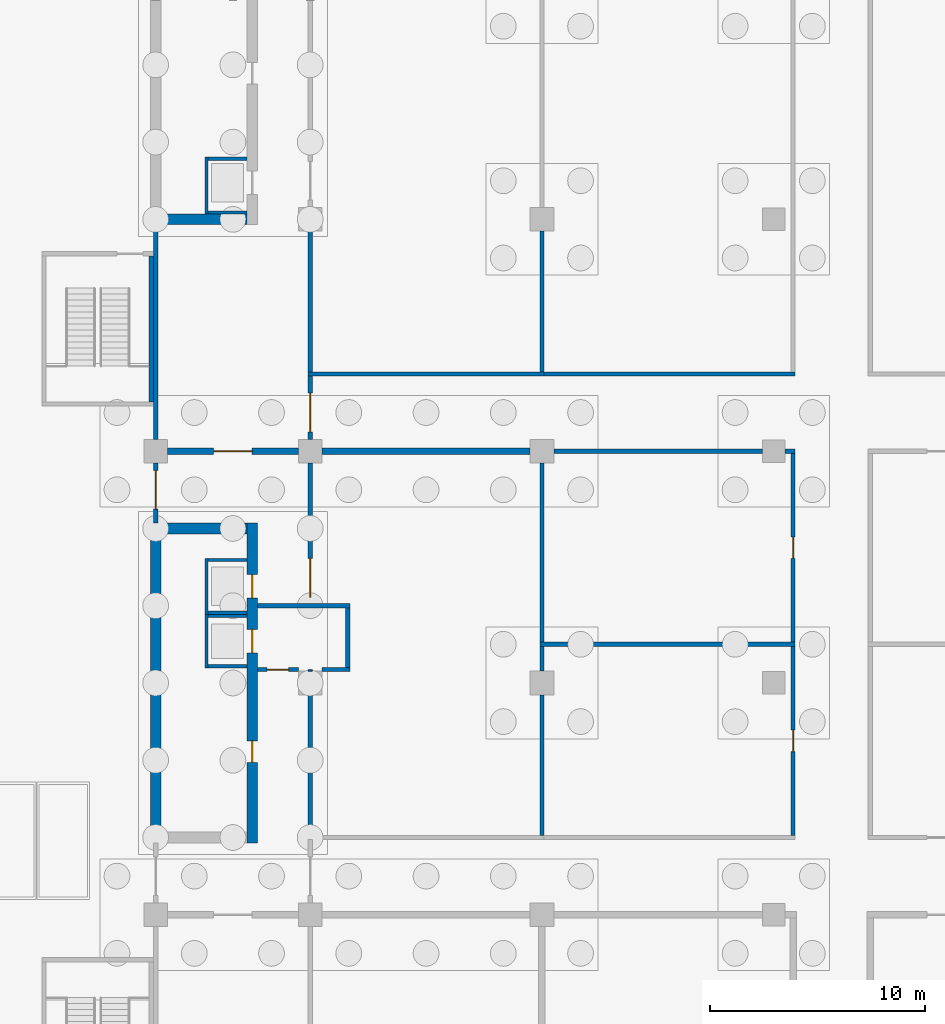
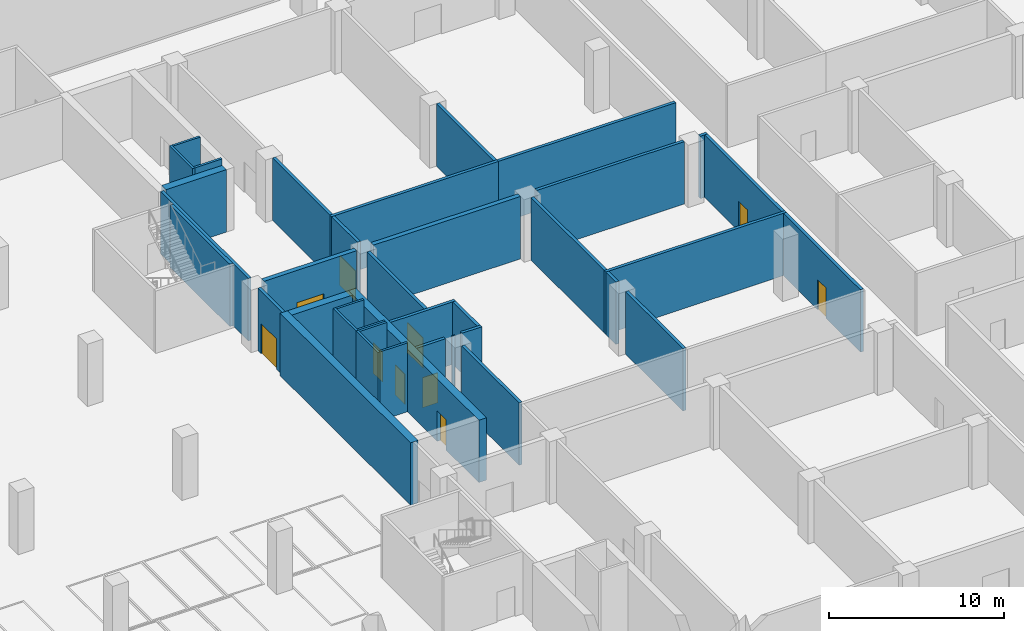
# One storey, part 6 of 18: 38 walls, 10 doors, 10 openings.
"""IFC4 building model written with IfcOpenShell, lengths in metres."""

from ifc_helpers import new_model, si_unit, direction, frame, frame_2d, origin, place, context, subcontext, project, spatial, rectangle, extrude, material, layer, layer_set, type_object, element, fill, save


model = new_model("IFC4")

# Units and contexts
model_context = context("Model", 3, precision=1e-05, world=origin(), true_north=direction((0.0, 1.0)))
body_context = subcontext(model_context, "Body", "Model", "MODEL_VIEW")
ifc_project = project(units=[si_unit("LENGTHUNIT", "METRE"), si_unit("AREAUNIT", "SQUARE_METRE"), si_unit("VOLUMEUNIT", "CUBIC_METRE"), si_unit("PLANEANGLEUNIT", "RADIAN"), si_unit("MASSUNIT", "GRAM", prefix="KILO")], contexts=[model_context])

# Site, building, storey
site_placement = place(None, origin())
site = spatial("IfcSite", under=ifc_project, at=site_placement, CompositionType="ELEMENT")
building_placement = place(site_placement, origin())
building = spatial("IfcBuilding", under=site, at=building_placement, Name="Basin Gate Institute", CompositionType="ELEMENT")
storey_placement = place(building_placement, frame((0.0, 0.0, -9.60009765625)))
storey = spatial("IfcBuildingStorey", under=building, at=storey_placement, Name="B2", CompositionType="ELEMENT", Elevation=-9.60009765625)

# Wall, opening, door
ifc_material_1 = material(Name="Concrete 50 MPa", Category="concrete")
ifc_layer_1 = layer(ifc_material_1, 0.199951171875)
ifc_layer_set_1 = layer_set([ifc_layer_1], Name="Concrete 50 MPa")
wall_type_1 = type_object("IfcWallType", Name="Basement bearing wall W66 REI 180", PredefinedType="SOLIDWALL", material=ifc_layer_set_1)
wall_1_placement = place(storey_placement, frame((61.199951171875, 74.949951171875, 0.0), z_axis=(0.0, 0.0, 1.0), x_axis=(0.0, 1.0, 0.0)))
wall_1 = element("IfcWall", 1, at=wall_1_placement, inside=storey, type_object=wall_type_1, material=ifc_layer_set_1, Name="Service Corridor B2 West bearing wall", PredefinedType="SOLIDWALL", context=body_context, shape_type="SweptSolid", body=[
    extrude(rectangle(XDim=2.800048828125, YDim=0.199951171875, at=frame_2d((1.39990234375, 0.0))), origin(), (0.0, 0.0, 1.0), 4.35009765625),
])
opening_1_placement = place(wall_1_placement, frame((0.64990234375, 0.0, 0.0)))
opening_1 = element("IfcOpeningElement", 2, at=opening_1_placement, cuts=wall_1, Name="Opening DB222", PredefinedType="OPENING", context=body_context, shape_type="SweptSolid", body=[
    extrude(rectangle(XDim=1.800048828125, YDim=2.10009765625, at=frame_2d((0.89990234375, 1.050048828125))), frame((0.0, 0.10986328125, 0.0), z_axis=(0.0, -1.0, 0.0), x_axis=(1.0, 0.0, 0.0)), (0.0, 0.0, 1.0), 0.219970703125),
])
ifc_material_2 = material(Name="Steel door set", Category="steel")
door_type_1 = type_object("IfcDoorType", Name="Double fire door FD120 1800x2100", OperationType="DOUBLE_DOOR_SINGLE_SWING", PredefinedType="DOOR", material=ifc_material_2)
door_1_placement = place(opening_1_placement, origin())
door_1 = element("IfcDoor", 3, at=door_1_placement, inside=storey, type_object=door_type_1, material=ifc_material_2, Name="Door DB222 Service Corridor B2 West", OperationType="DOUBLE_DOOR_SINGLE_SWING", OverallHeight=2.10009765625, OverallWidth=1.800048828125, PredefinedType="DOOR", context=body_context, shape_type="SweptSolid", body=[
    extrude(rectangle(XDim=1.800048828125, YDim=2.10009765625, at=frame_2d((0.89990234375, 1.050048828125))), frame((0.0, 0.02490234375, 0.0), z_axis=(0.0, -1.0, 0.0), x_axis=(1.0, 0.0, 0.0)), (0.0, 0.0, 1.0), 0.050048828125),
])
fill(opening_1, door_1)

# Walls
wall_2_placement = place(storey_placement, frame((61.199951171875, 78.85009765625, 0.0), z_axis=(0.0, 0.0, 1.0), x_axis=(0.0, 1.0, 0.0)))
element("IfcWall", 4, at=wall_2_placement, inside=storey, type_object=wall_type_1, material=ifc_layer_set_1, Name="Service Corridor B2 West bearing wall", PredefinedType="SOLIDWALL", context=body_context, shape_type="SweptSolid", body=[
    extrude(rectangle(XDim=10.0, YDim=0.199951171875, at=frame_2d((5.0, 0.0))), origin(), (0.0, 0.0, 1.0), 4.35009765625),
])
ifc_material_3 = material(Name="Blockwork", Category="masonry")
ifc_layer_2 = layer(ifc_material_3, 0.199951171875)
ifc_layer_set_2 = layer_set([ifc_layer_2], Name="Basement fire partition EI 120")
wall_type_2 = type_object("IfcWallType", Name="Basement fire partition EI 120", PredefinedType="PARTITIONING", material=ifc_layer_set_2)
wall_3_placement = place(storey_placement, frame((79.10009765625, 69.300048828125, 0.0), z_axis=(0.0, 0.0, 1.0), x_axis=(1.0, 0.0, 0.0)))
element("IfcWall", 5, at=wall_3_placement, inside=storey, type_object=wall_type_2, material=ifc_layer_set_2, Name="Chiller Plant fire-resisting wall", PredefinedType="PARTITIONING", context=body_context, shape_type="SweptSolid", body=[
    extrude(rectangle(XDim=11.89990234375, YDim=0.199951171875, at=frame_2d((5.949951171875, 0.0))), origin(), (0.0, 0.0, 1.0), 4.35009765625),
])
wall_4_placement = place(storey_placement, frame((79.75, 78.300048828125, 0.0), z_axis=(0.0, 0.0, 1.0), x_axis=(1.0, 0.0, 0.0)))
element("IfcWall", 6, at=wall_4_placement, inside=storey, type_object=wall_type_2, material=ifc_layer_set_2, Name="Boiler Plant fire-resisting wall", PredefinedType="PARTITIONING", context=body_context, shape_type="SweptSolid", body=[
    extrude(rectangle(XDim=9.72509765625, YDim=0.199951171875, at=frame_2d((4.862548828125, 0.0))), origin(), (0.0, 0.0, 1.0), 4.35009765625),
])
wall_5_placement = place(storey_placement, frame((90.52490234375, 78.300048828125, 0.0), z_axis=(0.0, 0.0, 1.0), x_axis=(1.0, 0.0, 0.0)))
element("IfcWall", 7, at=wall_5_placement, inside=storey, type_object=wall_type_2, material=ifc_layer_set_2, Name="Boiler Plant fire-resisting wall", PredefinedType="PARTITIONING", context=body_context, shape_type="SweptSolid", body=[
    extrude(rectangle(XDim=0.47509765625, YDim=0.199951171875, at=frame_2d((0.237548828125, 0.0))), origin(), (0.0, 0.0, 1.0), 4.35009765625),
])
wall_6_placement = place(storey_placement, frame((79.300048828125, 81.89990234375, 0.0), z_axis=(0.0, 0.0, 1.0), x_axis=(1.0, 0.0, 0.0)))
element("IfcWall", 8, at=wall_6_placement, inside=storey, type_object=wall_type_2, material=ifc_layer_set_2, Name="Pure Water Plant fire-resisting wall", PredefinedType="PARTITIONING", context=body_context, shape_type="SweptSolid", body=[
    extrude(rectangle(XDim=11.699951171875, YDim=0.199951171875, at=frame_2d((5.85009765625, 0.0))), origin(), (0.0, 0.0, 1.0), 4.35009765625),
])
wall_7_placement = place(storey_placement, frame((79.199951171875, 60.39990234375, 0.0), z_axis=(0.0, 0.0, 1.0), x_axis=(0.0, 1.0, 0.0)))
element("IfcWall", 9, at=wall_7_placement, inside=storey, type_object=wall_type_2, material=ifc_layer_set_2, Name="Chiller Plant fire-resisting wall", PredefinedType="PARTITIONING", context=body_context, shape_type="SweptSolid", body=[
    extrude(rectangle(XDim=6.550048828125, YDim=0.199951171875, at=frame_2d((3.27490234375, 0.0))), origin(), (0.0, 0.0, 1.0), 4.35009765625),
])
wall_8_placement = place(storey_placement, frame((79.199951171875, 68.050048828125, 0.0), z_axis=(0.0, 0.0, 1.0), x_axis=(0.0, 1.0, 0.0)))
element("IfcWall", 10, at=wall_8_placement, inside=storey, type_object=wall_type_2, material=ifc_layer_set_2, Name="Chiller Plant fire-resisting wall", PredefinedType="PARTITIONING", context=body_context, shape_type="SweptSolid", body=[
    extrude(rectangle(XDim=1.14990234375, YDim=0.199951171875, at=frame_2d((0.574951171875, 0.0))), origin(), (0.0, 0.0, 1.0), 4.35009765625),
])
wall_9_placement = place(storey_placement, frame((79.199951171875, 69.39990234375, 0.0), z_axis=(0.0, 0.0, 1.0), x_axis=(0.0, 1.0, 0.0)))
element("IfcWall", 11, at=wall_9_placement, inside=storey, type_object=wall_type_2, material=ifc_layer_set_2, Name="Boiler Plant fire-resisting wall", PredefinedType="PARTITIONING", context=body_context, shape_type="SweptSolid", body=[
    extrude(rectangle(XDim=8.35009765625, YDim=0.199951171875, at=frame_2d((4.175048828125, 0.0))), origin(), (0.0, 0.0, 1.0), 4.35009765625),
])
wall_10_placement = place(storey_placement, frame((79.199951171875, 82.0, 0.0), z_axis=(0.0, 0.0, 1.0), x_axis=(0.0, 1.0, 0.0)))
element("IfcWall", 12, at=wall_10_placement, inside=storey, type_object=wall_type_2, material=ifc_layer_set_2, Name="Pure Water Plant fire-resisting wall", PredefinedType="PARTITIONING", context=body_context, shape_type="SweptSolid", body=[
    extrude(rectangle(XDim=6.550048828125, YDim=0.199951171875, at=frame_2d((3.27490234375, 0.0))), origin(), (0.0, 0.0, 1.0), 4.35009765625),
])

# Wall, opening, door
wall_11_placement = place(storey_placement, frame((90.89990234375, 60.39990234375, 0.0), z_axis=(0.0, 0.0, 1.0), x_axis=(0.0, 1.0, 0.0)))
wall_11 = element("IfcWall", 13, at=wall_11_placement, inside=storey, type_object=wall_type_2, material=ifc_layer_set_2, Name="Chiller Plant fire-resisting wall", PredefinedType="PARTITIONING", context=body_context, shape_type="SweptSolid", body=[
    extrude(rectangle(XDim=8.800048828125, YDim=0.199951171875, at=frame_2d((4.39990234375, 0.0))), origin(), (0.0, 0.0, 1.0), 4.35009765625),
])
opening_2_placement = place(wall_11_placement, frame((3.89990234375, 0.0, 0.0)))
opening_2 = element("IfcOpeningElement", 14, at=opening_2_placement, cuts=wall_11, Name="Opening DB205", PredefinedType="OPENING", context=body_context, shape_type="SweptSolid", body=[
    extrude(rectangle(XDim=1.0, YDim=2.10009765625, at=frame_2d((0.5, 1.050048828125))), frame((0.0, 0.10986328125, 0.0), z_axis=(0.0, -1.0, 0.0), x_axis=(1.0, 0.0, 0.0)), (0.0, 0.0, 1.0), 0.219970703125),
])
ifc_material_4 = material(Name="Steel door set", Category="steel")
door_type_2 = type_object("IfcDoorType", Name="Fire door FD120 1000x2100", OperationType="NOTDEFINED", PredefinedType="DOOR", material=ifc_material_4)
door_2_placement = place(opening_2_placement, origin())
door_2 = element("IfcDoor", 15, at=door_2_placement, inside=storey, type_object=door_type_2, material=ifc_material_4, Name="Door DB205 Chiller Plant", OperationType="SINGLE_SWING_RIGHT", OverallHeight=2.10009765625, OverallWidth=1.0, PredefinedType="DOOR", context=body_context, shape_type="SweptSolid", body=[
    extrude(rectangle(XDim=1.0, YDim=2.10009765625, at=frame_2d((0.5, 1.050048828125))), frame((0.0, 0.02490234375, 0.0), z_axis=(0.0, -1.0, 0.0), x_axis=(1.0, 0.0, 0.0)), (0.0, 0.0, 1.0), 0.050048828125),
])
fill(opening_2, door_2)

wall_12_placement = place(storey_placement, frame((90.89990234375, 69.39990234375, 0.0), z_axis=(0.0, 0.0, 1.0), x_axis=(0.0, 1.0, 0.0)))
wall_12 = element("IfcWall", 16, at=wall_12_placement, inside=storey, type_object=wall_type_2, material=ifc_layer_set_2, Name="Boiler Plant fire-resisting wall", PredefinedType="PARTITIONING", context=body_context, shape_type="SweptSolid", body=[
    extrude(rectangle(XDim=8.800048828125, YDim=0.199951171875, at=frame_2d((4.39990234375, 0.0))), origin(), (0.0, 0.0, 1.0), 4.35009765625),
])
opening_3_placement = place(wall_12_placement, frame((3.89990234375, 0.0, 0.0)))
opening_3 = element("IfcOpeningElement", 17, at=opening_3_placement, cuts=wall_12, Name="Opening DB207", PredefinedType="OPENING", context=body_context, shape_type="SweptSolid", body=[
    extrude(rectangle(XDim=1.0, YDim=2.10009765625, at=frame_2d((0.5, 1.050048828125))), frame((0.0, 0.10986328125, 0.0), z_axis=(0.0, -1.0, 0.0), x_axis=(1.0, 0.0, 0.0)), (0.0, 0.0, 1.0), 0.219970703125),
])
door_3_placement = place(opening_3_placement, origin())
door_3 = element("IfcDoor", 18, at=door_3_placement, inside=storey, type_object=door_type_2, material=ifc_material_4, Name="Door DB207 Boiler Plant", OperationType="SINGLE_SWING_LEFT", OverallHeight=2.10009765625, OverallWidth=1.0, PredefinedType="DOOR", context=body_context, shape_type="SweptSolid", body=[
    extrude(rectangle(XDim=1.0, YDim=2.10009765625, at=frame_2d((0.5, 1.050048828125))), frame((0.0, 0.02490234375, 0.0), z_axis=(0.0, -1.0, 0.0), x_axis=(1.0, 0.0, 0.0)), (0.0, 0.0, 1.0), 0.050048828125),
])
fill(opening_3, door_3)

ifc_material_5 = material(Name="Blockwork", Category="masonry")
ifc_layer_3 = layer(ifc_material_5, 0.199951171875)
ifc_layer_set_3 = layer_set([ifc_layer_3], Name="Basement fire partition EI 60")
wall_type_3 = type_object("IfcWallType", Name="Basement fire partition EI 60", PredefinedType="PARTITIONING", material=ifc_layer_set_3)
wall_13_placement = place(storey_placement, frame((65.949951171875, 68.125, 0.0), z_axis=(0.0, 0.0, 1.0), x_axis=(1.0, 0.0, 0.0)))
wall_13 = element("IfcWall", 19, at=wall_13_placement, inside=storey, type_object=wall_type_3, material=ifc_layer_set_3, Name="Emergency Lift Lobby B2 LF1 fire-resisting wall", PredefinedType="PARTITIONING", context=body_context, shape_type="SweptSolid", body=[
    extrude(rectangle(XDim=1.900146484375, YDim=0.199951171875, at=frame_2d((0.9501953125, 0.0))), origin(), (0.0, 0.0, 1.0), 4.35009765625),
])
opening_4_placement = place(wall_13_placement, frame((0.449951171875, 0.0, 0.0)))
opening_4 = element("IfcOpeningElement", 20, at=opening_4_placement, cuts=wall_13, Name="Opening DB236", PredefinedType="OPENING", context=body_context, shape_type="SweptSolid", body=[
    extrude(rectangle(XDim=1.0, YDim=2.10009765625, at=frame_2d((0.5, 1.050048828125))), frame((0.0, 0.10986328125, 0.0), z_axis=(0.0, -1.0, 0.0), x_axis=(1.0, 0.0, 0.0)), (0.0, 0.0, 1.0), 0.219970703125),
])
ifc_material_6 = material(Name="Steel door set", Category="steel")
door_type_3 = type_object("IfcDoorType", Name="Fire door FD60 1000x2100", OperationType="NOTDEFINED", PredefinedType="DOOR", material=ifc_material_6)
door_4_placement = place(opening_4_placement, frame((1.0, 0.0, 0.0), z_axis=(0.0, 0.0, 1.0), x_axis=(-1.0, 0.0, 0.0)))
door_4 = element("IfcDoor", 21, at=door_4_placement, inside=storey, type_object=door_type_3, material=ifc_material_6, Name="Door DB236 Emergency Lift Lobby B2 LF1", OperationType="SINGLE_SWING_RIGHT", OverallHeight=2.10009765625, OverallWidth=1.0, PredefinedType="DOOR", context=body_context, shape_type="SweptSolid", body=[
    extrude(rectangle(XDim=1.0, YDim=2.10009765625, at=frame_2d((0.5, 1.050048828125))), frame((0.0, 0.02490234375, 0.0), z_axis=(0.0, -1.0, 0.0), x_axis=(1.0, 0.0, 0.0)), (0.0, 0.0, 1.0), 0.050048828125),
])
fill(opening_4, door_4)

# Walls
wall_14_placement = place(storey_placement, frame((68.949951171875, 68.125, 0.0), z_axis=(0.0, 0.0, 1.0), x_axis=(1.0, 0.0, 0.0)))
element("IfcWall", 22, at=wall_14_placement, inside=storey, type_object=wall_type_3, material=ifc_layer_set_3, Name="Emergency Lift Lobby B2 LF1 fire-resisting wall", PredefinedType="PARTITIONING", context=body_context, shape_type="SweptSolid", body=[
    extrude(rectangle(XDim=1.300048828125, YDim=0.199951171875, at=frame_2d((0.64990234375, 0.0))), origin(), (0.0, 0.0, 1.0), 4.35009765625),
])
wall_15_placement = place(storey_placement, frame((65.949951171875, 71.10009765625, 0.0), z_axis=(0.0, 0.0, 1.0), x_axis=(1.0, 0.0, 0.0)))
element("IfcWall", 23, at=wall_15_placement, inside=storey, type_object=wall_type_3, material=ifc_layer_set_3, Name="Emergency Lift Lobby B2 LF1 fire-resisting wall", PredefinedType="PARTITIONING", context=body_context, shape_type="SweptSolid", body=[
    extrude(rectangle(XDim=4.300048828125, YDim=0.199951171875, at=frame_2d((2.14990234375, 0.0))), origin(), (0.0, 0.0, 1.0), 4.35009765625),
])
wall_16_placement = place(storey_placement, frame((68.300048828125, 81.89990234375, 0.0), z_axis=(0.0, 0.0, 1.0), x_axis=(1.0, 0.0, 0.0)))
element("IfcWall", 24, at=wall_16_placement, inside=storey, type_object=wall_type_3, material=ifc_layer_set_3, Name="Vibration-isolated Instrument Hall 3 fire-resisting wall", PredefinedType="PARTITIONING", context=body_context, shape_type="SweptSolid", body=[
    extrude(rectangle(XDim=11.0, YDim=0.199951171875, at=frame_2d((5.5, 0.0))), origin(), (0.0, 0.0, 1.0), 4.35009765625),
])
wall_17_placement = place(storey_placement, frame((68.39990234375, 60.39990234375, 0.0), z_axis=(0.0, 0.0, 1.0), x_axis=(0.0, 1.0, 0.0)))
element("IfcWall", 25, at=wall_17_placement, inside=storey, type_object=wall_type_3, material=ifc_layer_set_3, Name="Vibration-isolated Instrument Hall 2 fire-resisting wall", PredefinedType="PARTITIONING", context=body_context, shape_type="SweptSolid", body=[
    extrude(rectangle(XDim=6.550048828125, YDim=0.199951171875, at=frame_2d((3.27490234375, 0.0))), origin(), (0.0, 0.0, 1.0), 4.35009765625),
])
wall_18_placement = place(storey_placement, frame((68.39990234375, 68.050048828125, 0.0), z_axis=(0.0, 0.0, 1.0), x_axis=(0.0, 1.0, 0.0)))
element("IfcWall", 26, at=wall_18_placement, inside=storey, type_object=wall_type_3, material=ifc_layer_set_3, Name="Vibration-isolated Instrument Hall 2 fire-resisting wall", PredefinedType="PARTITIONING", context=body_context, shape_type="SweptSolid", body=[
    extrude(rectangle(XDim=0.074951171875, YDim=0.199951171875, at=frame_2d((0.03759765625, 0.0))), origin(), (0.0, 0.0, 1.0), 4.35009765625),
])

# Wall, opening, door
wall_19_placement = place(storey_placement, frame((68.39990234375, 71.199951171875, 0.0), z_axis=(0.0, 0.0, 1.0), x_axis=(0.0, 1.0, 0.0)))
wall_19 = element("IfcWall", 27, at=wall_19_placement, inside=storey, type_object=wall_type_3, material=ifc_layer_set_3, Name="Vibration-isolated Instrument Hall 2 fire-resisting wall", PredefinedType="PARTITIONING", context=body_context, shape_type="SweptSolid", body=[
    extrude(rectangle(XDim=6.550048828125, YDim=0.199951171875, at=frame_2d((3.27490234375, 0.0))), origin(), (0.0, 0.0, 1.0), 4.35009765625),
])
opening_5_placement = place(wall_19_placement, frame((0.300048828125, 0.0, 0.0)))
opening_5 = element("IfcOpeningElement", 28, at=opening_5_placement, cuts=wall_19, Name="Opening DB218", PredefinedType="OPENING", context=body_context, shape_type="SweptSolid", body=[
    extrude(rectangle(XDim=1.800048828125, YDim=2.10009765625, at=frame_2d((0.89990234375, 1.050048828125))), frame((0.0, 0.10986328125, 0.0), z_axis=(0.0, -1.0, 0.0), x_axis=(1.0, 0.0, 0.0)), (0.0, 0.0, 1.0), 0.219970703125),
])
ifc_material_7 = material(Name="Steel door set", Category="steel")
door_type_4 = type_object("IfcDoorType", Name="Double fire door FD60 1800x2100", OperationType="DOUBLE_DOOR_SINGLE_SWING", PredefinedType="DOOR", material=ifc_material_7)
door_5_placement = place(opening_5_placement, origin())
door_5 = element("IfcDoor", 29, at=door_5_placement, inside=storey, type_object=door_type_4, material=ifc_material_7, Name="Door DB218 Vibration-isolated Instrument Hall 2", OperationType="DOUBLE_DOOR_SINGLE_SWING", OverallHeight=2.10009765625, OverallWidth=1.800048828125, PredefinedType="DOOR", context=body_context, shape_type="SweptSolid", body=[
    extrude(rectangle(XDim=1.800048828125, YDim=2.10009765625, at=frame_2d((0.89990234375, 1.050048828125))), frame((0.0, 0.02490234375, 0.0), z_axis=(0.0, -1.0, 0.0), x_axis=(1.0, 0.0, 0.0)), (0.0, 0.0, 1.0), 0.050048828125),
])
fill(opening_5, door_5)

wall_20_placement = place(storey_placement, frame((68.39990234375, 78.85009765625, 0.0), z_axis=(0.0, 0.0, 1.0), x_axis=(0.0, 1.0, 0.0)))
wall_20 = element("IfcWall", 30, at=wall_20_placement, inside=storey, type_object=wall_type_3, material=ifc_layer_set_3, Name="Service Corridor B2 West fire-resisting wall", PredefinedType="PARTITIONING", context=body_context, shape_type="SweptSolid", body=[
    extrude(rectangle(XDim=2.949951171875, YDim=0.199951171875, at=frame_2d((1.47509765625, 0.0))), origin(), (0.0, 0.0, 1.0), 4.35009765625),
])
opening_6_placement = place(wall_20_placement, frame((0.35009765625, 0.0, 0.0)))
opening_6 = element("IfcOpeningElement", 31, at=opening_6_placement, cuts=wall_20, Name="Opening DB226", PredefinedType="OPENING", context=body_context, shape_type="SweptSolid", body=[
    extrude(rectangle(XDim=1.800048828125, YDim=2.10009765625, at=frame_2d((0.89990234375, 1.050048828125))), frame((0.0, 0.10986328125, 0.0), z_axis=(0.0, -1.0, 0.0), x_axis=(1.0, 0.0, 0.0)), (0.0, 0.0, 1.0), 0.219970703125),
])
door_6_placement = place(opening_6_placement, frame((1.800048828125, 0.0, 0.0), z_axis=(0.0, 0.0, 1.0), x_axis=(-1.0, 0.0, 0.0)))
door_6 = element("IfcDoor", 32, at=door_6_placement, inside=storey, type_object=door_type_4, material=ifc_material_7, Name="Door DB226 Service Corridor B2 West", OperationType="DOUBLE_DOOR_SINGLE_SWING", OverallHeight=2.10009765625, OverallWidth=1.800048828125, PredefinedType="DOOR", context=body_context, shape_type="SweptSolid", body=[
    extrude(rectangle(XDim=1.800048828125, YDim=2.10009765625, at=frame_2d((0.89990234375, 1.050048828125))), frame((0.0, 0.02490234375, 0.0), z_axis=(0.0, -1.0, 0.0), x_axis=(1.0, 0.0, 0.0)), (0.0, 0.0, 1.0), 0.050048828125),
])
fill(opening_6, door_6)

# Walls
wall_21_placement = place(storey_placement, frame((68.39990234375, 82.0, 0.0), z_axis=(0.0, 0.0, 1.0), x_axis=(0.0, 1.0, 0.0)))
element("IfcWall", 33, at=wall_21_placement, inside=storey, type_object=wall_type_3, material=ifc_layer_set_3, Name="Vibration-isolated Instrument Hall 3 fire-resisting wall", PredefinedType="PARTITIONING", context=body_context, shape_type="SweptSolid", body=[
    extrude(rectangle(XDim=6.550048828125, YDim=0.199951171875, at=frame_2d((3.27490234375, 0.0))), origin(), (0.0, 0.0, 1.0), 4.35009765625),
])
wall_22_placement = place(storey_placement, frame((70.14990234375, 68.22509765625, 0.0), z_axis=(0.0, 0.0, 1.0), x_axis=(0.0, 1.0, 0.0)))
element("IfcWall", 34, at=wall_22_placement, inside=storey, type_object=wall_type_3, material=ifc_layer_set_3, Name="Emergency Lift Lobby B2 LF1 fire-resisting wall", PredefinedType="PARTITIONING", context=body_context, shape_type="SweptSolid", body=[
    extrude(rectangle(XDim=2.77490234375, YDim=0.199951171875, at=frame_2d((1.387451171875, 0.0))), origin(), (0.0, 0.0, 1.0), 4.35009765625),
])
ifc_material_8 = material(Name="Concrete 35 MPa", Category="concrete")
ifc_layer_4 = layer(ifc_material_8, 0.199951171875)
ifc_layer_set_4 = layer_set([ifc_layer_4], Name="Concrete 35 MPa")
wall_type_4 = type_object("IfcWallType", Name="Basement stair enclosure wall W67 REI 120", PredefinedType="SOLIDWALL", material=ifc_layer_set_4)
wall_23_placement = place(storey_placement, frame((61.0, 80.60009765625, 0.0), z_axis=(0.0, 0.0, 1.0), x_axis=(0.0, 1.0, 0.0)))
element("IfcWall", 35, at=wall_23_placement, inside=storey, type_object=wall_type_4, material=ifc_layer_set_4, Name="Stair Enclosure BS2 B2 enclosure wall", PredefinedType="SOLIDWALL", context=body_context, shape_type="SweptSolid", body=[
    extrude(rectangle(XDim=6.7998046875, YDim=0.199951171875, at=frame_2d((3.39990234375, 0.0))), origin(), (0.0, 0.0, 1.0), 4.35009765625),
])
ifc_material_9 = material(Name="Concrete 40 MPa", Category="concrete")
ifc_layer_5 = layer(ifc_material_9, 0.14990234375)
ifc_layer_set_5 = layer_set([ifc_layer_5], Name="Concrete 40 MPa")
wall_type_5 = type_object("IfcWallType", Name="Wall LS1 lift shaft enclosure R180", PredefinedType="SOLIDWALL", material=ifc_layer_set_5)
wall_24_placement = place(storey_placement, frame((63.574951171875, 68.199951171875, 0.0), z_axis=(0.0, 0.0, 1.0), x_axis=(0.0, 1.0, 0.0)))
element("IfcWall", 36, at=wall_24_placement, inside=storey, type_object=wall_type_5, material=ifc_layer_set_5, Name="Lift shaft enclosure LF1 B2 UL", PredefinedType="SOLIDWALL", context=body_context, shape_type="SweptSolid", body=[
    extrude(rectangle(XDim=2.5, YDim=0.14990234375, at=frame_2d((1.25, 0.0))), origin(), (0.0, 0.0, 1.0), 4.800048828125),
])
for number, where, z_axis, x_axis, name in (
    (37, (63.64990234375, 68.27490234375, 0.0), (0.0, 0.0, 1.0), (1.0, 0.0, 0.0), "Lift shaft enclosure LF1 B2 RL"),
    (38, (63.64990234375, 70.625, 0.0), (0.0, 0.0, 1.0), (1.0, 0.0, 0.0), "Lift shaft enclosure LF1 B2 RH"),
):
    element("IfcWall", number, at=place(storey_placement, frame(where, z_axis=z_axis, x_axis=x_axis)), inside=storey, type_object=wall_type_5, material=ifc_layer_set_5, Name=name, PredefinedType="SOLIDWALL", context=body_context, shape_type="SweptSolid", body=[
        extrude(rectangle(XDim=1.800048828125, YDim=0.14990234375, at=frame_2d((0.89990234375, 0.0))), origin(), (0.0, 0.0, 1.0), 4.800048828125),
    ])
wall_25_placement = place(storey_placement, frame((63.574951171875, 70.699951171875, 0.0), z_axis=(0.0, 0.0, 1.0), x_axis=(0.0, 1.0, 0.0)))
element("IfcWall", 39, at=wall_25_placement, inside=storey, type_object=wall_type_5, material=ifc_layer_set_5, Name="Lift shaft enclosure LP2 B2 UL", PredefinedType="SOLIDWALL", context=body_context, shape_type="SweptSolid", body=[
    extrude(rectangle(XDim=2.60009765625, YDim=0.14990234375, at=frame_2d((1.300048828125, 0.0))), origin(), (0.0, 0.0, 1.0), 4.800048828125),
])
for number, where, z_axis, x_axis, name in (
    (40, (63.64990234375, 70.77490234375, 0.0), (0.0, 0.0, 1.0), (1.0, 0.0, 0.0), "Lift shaft enclosure LP2 B2 RL"),
    (41, (63.64990234375, 73.22509765625, 0.0), (0.0, 0.0, 1.0), (1.0, 0.0, 0.0), "Lift shaft enclosure LP2 B2 RH"),
):
    element("IfcWall", number, at=place(storey_placement, frame(where, z_axis=z_axis, x_axis=x_axis)), inside=storey, type_object=wall_type_5, material=ifc_layer_set_5, Name=name, PredefinedType="SOLIDWALL", context=body_context, shape_type="SweptSolid", body=[
        extrude(rectangle(XDim=1.800048828125, YDim=0.14990234375, at=frame_2d((0.89990234375, 0.0))), origin(), (0.0, 0.0, 1.0), 4.800048828125),
    ])
wall_26_placement = place(storey_placement, frame((63.574951171875, 92.0, 0.0), z_axis=(0.0, 0.0, 1.0), x_axis=(0.0, -1.0, 0.0)))
element("IfcWall", 42, at=wall_26_placement, inside=storey, type_object=wall_type_5, material=ifc_layer_set_5, Name="Lift shaft enclosure LP3 B2 UL", PredefinedType="SOLIDWALL", context=body_context, shape_type="SweptSolid", body=[
    extrude(rectangle(XDim=2.64990234375, YDim=0.14990234375, at=frame_2d((1.324951171875, 0.0))), origin(), (0.0, 0.0, 1.0), 4.800048828125),
])
for number, where, z_axis, x_axis, name in (
    (43, (63.64990234375, 91.925048828125, 0.0), (0.0, 0.0, 1.0), (1.0, 0.0, 0.0), "Lift shaft enclosure LP3 B2 RL"),
    (44, (63.64990234375, 89.425048828125, 0.0), (0.0, 0.0, 1.0), (1.0, 0.0, 0.0), "Lift shaft enclosure LP3 B2 RH"),
):
    element("IfcWall", number, at=place(storey_placement, frame(where, z_axis=z_axis, x_axis=x_axis)), inside=storey, type_object=wall_type_5, material=ifc_layer_set_5, Name=name, PredefinedType="SOLIDWALL", context=body_context, shape_type="SweptSolid", body=[
        extrude(rectangle(XDim=1.800048828125, YDim=0.14990234375, at=frame_2d((0.89990234375, 0.0))), origin(), (0.0, 0.0, 1.0), 4.800048828125),
    ])
ifc_material_10 = material(Name="Concrete 60 MPa", Category="concrete")
ifc_layer_6 = layer(ifc_material_10, 0.5)
ifc_layer_set_6 = layer_set([ifc_layer_6], Name="Concrete 60 MPa")
wall_type_6 = type_object("IfcWallType", Name="Wall SW1 R180", PredefinedType="SHEAR", material=ifc_layer_set_6)
wall_27_placement = place(storey_placement, frame((61.199951171875, 60.050048828125, 0.0), z_axis=(0.0, 0.0, 1.0), x_axis=(0.0, 1.0, 0.0)))
element("IfcWall", 45, at=wall_27_placement, inside=storey, type_object=wall_type_6, material=ifc_layer_set_6, Name="WALL/B2/WM/L", PredefinedType="SHEAR", context=body_context, shape_type="SweptSolid", body=[
    extrude(rectangle(XDim=14.89990234375, YDim=0.5, at=frame_2d((7.449951171875, 0.0))), origin(), (0.0, 0.0, 1.0), 4.35009765625),
])

# Wall, openings, doors
wall_28_placement = place(storey_placement, frame((65.699951171875, 60.050048828125, 0.0), z_axis=(0.0, 0.0, 1.0), x_axis=(0.0, 1.0, 0.0)))
wall_28 = element("IfcWall", 46, at=wall_28_placement, inside=storey, type_object=wall_type_6, material=ifc_layer_set_6, Name="WALL/B2/WM/C", PredefinedType="SHEAR", context=body_context, shape_type="SweptSolid", body=[
    extrude(rectangle(XDim=14.89990234375, YDim=0.5, at=frame_2d((7.449951171875, 0.0))), origin(), (0.0, 0.0, 1.0), 4.35009765625),
])
opening_7_placement = place(wall_28_placement, frame((8.85009765625, 0.0, 0.0)))
opening_7 = element("IfcOpeningElement", 47, at=opening_7_placement, cuts=wall_28, Name="Opening LD018", PredefinedType="OPENING", context=body_context, shape_type="SweptSolid", body=[
    extrude(rectangle(XDim=1.10009765625, YDim=2.10009765625, at=frame_2d((0.550048828125, 1.050048828125))), frame((0.0, 0.260009765625, 0.0), z_axis=(0.0, -1.0, 0.0), x_axis=(1.0, 0.0, 0.0)), (0.0, 0.0, 1.0), 0.52001953125),
])
opening_8_placement = place(wall_28_placement, frame((11.39990234375, 0.0, 0.0)))
opening_8 = element("IfcOpeningElement", 48, at=opening_8_placement, cuts=wall_28, Name="Opening LD036", PredefinedType="OPENING", context=body_context, shape_type="SweptSolid", body=[
    extrude(rectangle(XDim=1.10009765625, YDim=2.10009765625, at=frame_2d((0.550048828125, 1.050048828125))), frame((0.0, 0.260009765625, 0.0), z_axis=(0.0, -1.0, 0.0), x_axis=(1.0, 0.0, 0.0)), (0.0, 0.0, 1.0), 0.52001953125),
])
opening_9_placement = place(wall_28_placement, frame((3.75, 0.0, 0.0)))
opening_9 = element("IfcOpeningElement", 49, at=opening_9_placement, cuts=wall_28, Name="Opening DB235", PredefinedType="OPENING", context=body_context, shape_type="SweptSolid", body=[
    extrude(rectangle(XDim=1.0, YDim=2.10009765625, at=frame_2d((0.5, 1.050048828125))), frame((0.0, 0.260009765625, 0.0), z_axis=(0.0, -1.0, 0.0), x_axis=(1.0, 0.0, 0.0)), (0.0, 0.0, 1.0), 0.52001953125),
])
ifc_material_11 = material(Name="Stainless steel", Category="steel")
door_type_5 = type_object("IfcDoorType", Name="FD60 Lift landing door LD", OperationType="SLIDING_TO_LEFT", PredefinedType="DOOR", material=ifc_material_11)
door_7_placement = place(opening_7_placement, origin())
door_7 = element("IfcDoor", 50, at=door_7_placement, inside=storey, type_object=door_type_5, material=ifc_material_11, Name="Lift landing door LF1 B2", OperationType="SLIDING_TO_LEFT", OverallHeight=2.10009765625, OverallWidth=1.10009765625, PredefinedType="DOOR", context=body_context, shape_type="SweptSolid", body=[
    extrude(rectangle(XDim=1.10009765625, YDim=2.10009765625, at=frame_2d((0.550048828125, 1.050048828125))), frame((0.0, 0.02490234375, 0.0), z_axis=(0.0, -1.0, 0.0), x_axis=(1.0, 0.0, 0.0)), (0.0, 0.0, 1.0), 0.050048828125),
])
fill(opening_7, door_7)
door_8_placement = place(opening_8_placement, origin())
door_8 = element("IfcDoor", 51, at=door_8_placement, inside=storey, type_object=door_type_5, material=ifc_material_11, Name="Lift landing door LP2 B2", OperationType="SLIDING_TO_LEFT", OverallHeight=2.10009765625, OverallWidth=1.10009765625, PredefinedType="DOOR", context=body_context, shape_type="SweptSolid", body=[
    extrude(rectangle(XDim=1.10009765625, YDim=2.10009765625, at=frame_2d((0.550048828125, 1.050048828125))), frame((0.0, 0.02490234375, 0.0), z_axis=(0.0, -1.0, 0.0), x_axis=(1.0, 0.0, 0.0)), (0.0, 0.0, 1.0), 0.050048828125),
])
fill(opening_8, door_8)
door_9_placement = place(opening_9_placement, origin())
door_9 = element("IfcDoor", 52, at=door_9_placement, inside=storey, type_object=door_type_3, material=ifc_material_6, Name="Door DB235 Mechanical Riser Room B2 WM", OperationType="SINGLE_SWING_LEFT", OverallHeight=2.10009765625, OverallWidth=1.0, PredefinedType="DOOR", context=body_context, shape_type="SweptSolid", body=[
    extrude(rectangle(XDim=1.0, YDim=2.10009765625, at=frame_2d((0.5, 1.050048828125))), frame((0.0, 0.02490234375, 0.0), z_axis=(0.0, -1.0, 0.0), x_axis=(1.0, 0.0, 0.0)), (0.0, 0.0, 1.0), 0.050048828125),
])
fill(opening_9, door_9)

# Walls
for number, where, z_axis, x_axis, name in (
    (53, (61.449951171875, 74.699951171875, 0.0), (0.0, 0.0, 1.0), (1.0, 0.0, 0.0), "WALL/B2/WM/N"),
    (54, (61.449951171875, 89.10009765625, 0.0), (0.0, 0.0, 1.0), (1.0, 0.0, 0.0), "WALL/B2/WN/S"),
):
    element("IfcWall", number, at=place(storey_placement, frame(where, z_axis=z_axis, x_axis=x_axis)), inside=storey, type_object=wall_type_6, material=ifc_layer_set_6, Name=name, PredefinedType="SHEAR", context=body_context, shape_type="SweptSolid", body=[
        extrude(rectangle(XDim=4.0, YDim=0.5, at=frame_2d((2.0, 0.0))), origin(), (0.0, 0.0, 1.0), 4.35009765625),
    ])

# Wall, opening, door
ifc_material_12 = material(Name="Concrete 50 MPa", Category="concrete")
ifc_layer_7 = layer(ifc_material_12, 0.300048828125)
ifc_layer_set_7 = layer_set([ifc_layer_7], Name="Concrete 50 MPa")
wall_type_7 = type_object("IfcWallType", Name="Wall XW1 R180", PredefinedType="SHEAR", material=ifc_layer_set_7)
wall_29_placement = place(storey_placement, frame((61.75, 78.300048828125, 0.0), z_axis=(0.0, 0.0, 1.0), x_axis=(1.0, 0.0, 0.0)))
wall_29 = element("IfcWall", 55, at=wall_29_placement, inside=storey, type_object=wall_type_7, material=ifc_layer_set_7, Name="WALL/B2/WXE/1", PredefinedType="SHEAR", context=body_context, shape_type="SweptSolid", body=[
    extrude(rectangle(XDim=6.10009765625, YDim=0.300048828125, at=frame_2d((3.050048828125, 0.0))), origin(), (0.0, 0.0, 1.0), 4.35009765625),
])
opening_10_placement = place(wall_29_placement, frame((2.14990234375, 0.0, 0.0)))
opening_10 = element("IfcOpeningElement", 56, at=opening_10_placement, cuts=wall_29, Name="Opening DB249", PredefinedType="OPENING", context=body_context, shape_type="SweptSolid", body=[
    extrude(rectangle(XDim=1.800048828125, YDim=2.10009765625, at=frame_2d((0.89990234375, 1.050048828125))), frame((0.0, 0.16015625, 0.0), z_axis=(0.0, -1.0, 0.0), x_axis=(1.0, 0.0, 0.0)), (0.0, 0.0, 1.0), 0.320068359375),
])
door_10_placement = place(opening_10_placement, origin())
door_10 = element("IfcDoor", 57, at=door_10_placement, inside=storey, type_object=door_type_4, material=ifc_material_7, Name="Door DB249 Service Corridor B2 West compartment wall", OperationType="DOUBLE_DOOR_SINGLE_SWING", OverallHeight=2.10009765625, OverallWidth=1.800048828125, PredefinedType="DOOR", context=body_context, shape_type="SweptSolid", body=[
    extrude(rectangle(XDim=1.800048828125, YDim=2.10009765625, at=frame_2d((0.89990234375, 1.050048828125))), frame((0.0, 0.02490234375, 0.0), z_axis=(0.0, -1.0, 0.0), x_axis=(1.0, 0.0, 0.0)), (0.0, 0.0, 1.0), 0.050048828125),
])
fill(opening_10, door_10)

# Wall
wall_30_placement = place(storey_placement, frame((68.949951171875, 78.300048828125, 0.0), z_axis=(0.0, 0.0, 1.0), x_axis=(1.0, 0.0, 0.0)))
element("IfcWall", 58, at=wall_30_placement, inside=storey, type_object=wall_type_7, material=ifc_layer_set_7, Name="WALL/B2/WXE/2", PredefinedType="SHEAR", context=body_context, shape_type="SweptSolid", body=[
    extrude(rectangle(XDim=9.699951171875, YDim=0.300048828125, at=frame_2d((4.85009765625, 0.0))), origin(), (0.0, 0.0, 1.0), 4.35009765625),
])

save(model, "model.ifc")
